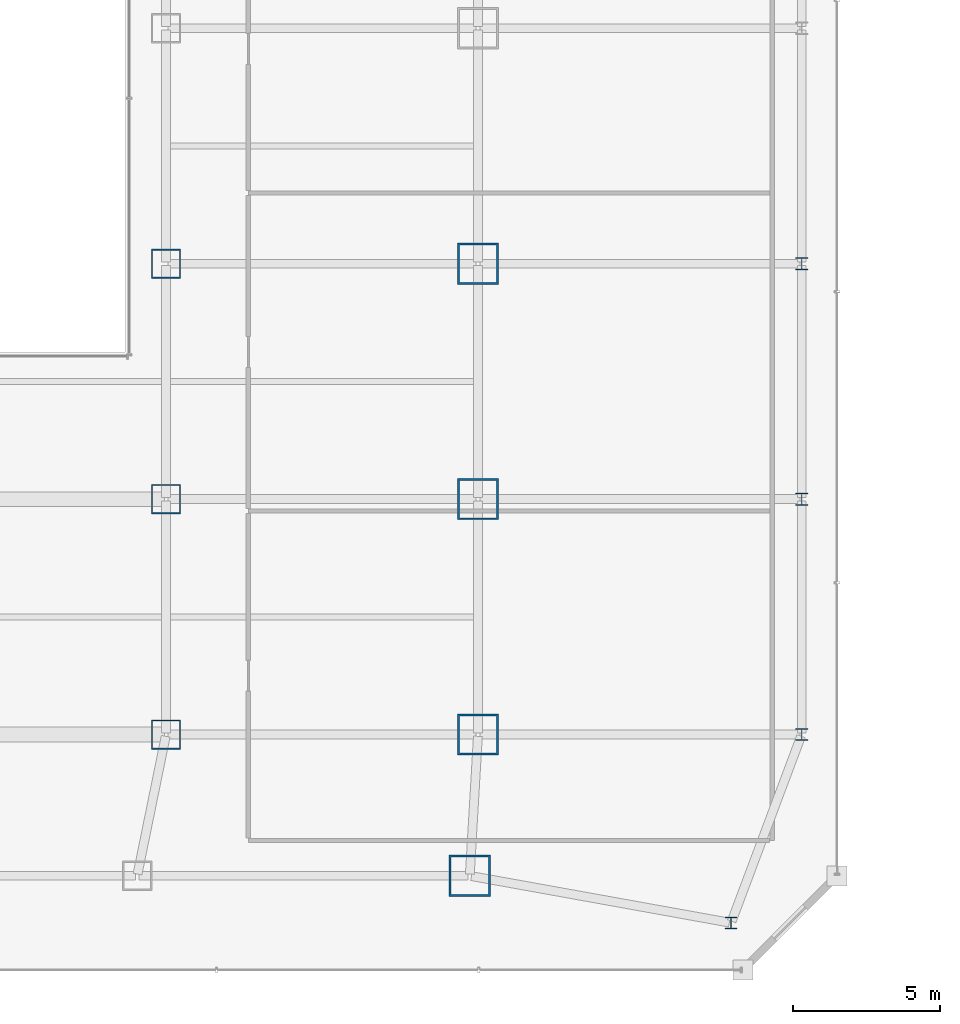
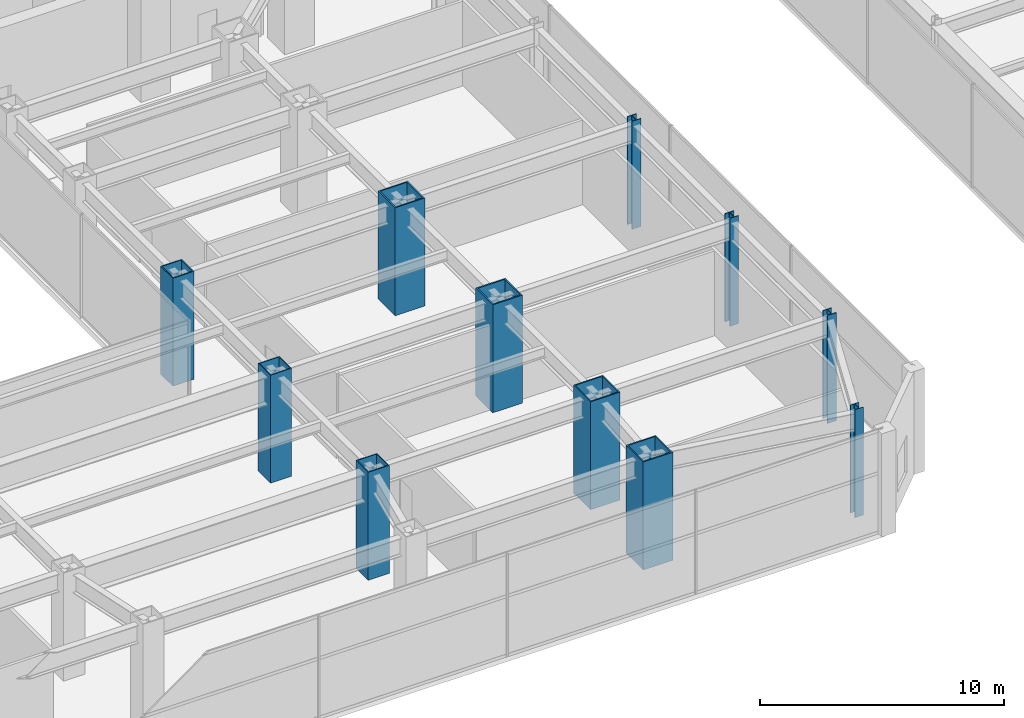
# One storey, part 2 of 53: 11 columns.
"""IFC4 building model written with IfcOpenShell, lengths in metres."""

from ifc_helpers import new_model, si_unit, direction, frame, origin, origin_2d, place, context, subcontext, project, spatial, hollow_rectangle, i_section, extrude, material, material_profile, profile_set, type_object, element, save


model = new_model("IFC4")

# Units and contexts
model_context = context("Model", 3, precision=1e-05, world=origin(), true_north=direction((0.0, 1.0)))
body_context = subcontext(model_context, "Body", "Model", "MODEL_VIEW")
ifc_project = project(units=[si_unit("LENGTHUNIT", "METRE"), si_unit("AREAUNIT", "SQUARE_METRE"), si_unit("VOLUMEUNIT", "CUBIC_METRE"), si_unit("PLANEANGLEUNIT", "RADIAN"), si_unit("MASSUNIT", "GRAM", prefix="KILO")], contexts=[model_context])

# Site, building, storey
site_placement = place(None, origin())
site = spatial("IfcSite", under=ifc_project, at=site_placement, CompositionType="ELEMENT")
building_placement = place(site_placement, origin())
building = spatial("IfcBuilding", under=site, at=building_placement, Name="Saevonmaru Cultural Tower", CompositionType="ELEMENT")
storey_placement = place(building_placement, frame((0.0, 0.0, 22.199951171875)))
storey = spatial("IfcBuildingStorey", under=building, at=storey_placement, Name="L04", CompositionType="ELEMENT", Elevation=22.199951171875)

# Columns
ifc_material_1 = material(Name="Steel SM420", Category="steel")
ifc_material_profile_1 = material_profile(ifc_material_1, hollow_rectangle(XDim=1.0, YDim=1.0, WallThickness=0.044921875, at=origin_2d()), Name="BOX-1000x1000x45")
ifc_profile_set_1 = profile_set([ifc_material_profile_1], Name="Steel SM420")
column_type_1 = type_object("IfcColumnType", Name="COL-BOX-1000", PredefinedType="COLUMN", material=ifc_profile_set_1)
for number, where, z_axis, x_axis, name in (
    (1, (37.199951171875, 8.0, 0.0), (0.0, 0.0, 1.0), (1.0, 0.0, 0.0), "L04 Column PC-E2-B"),
    (2, (37.199951171875, 16.0, 0.0), (0.0, 0.0, 1.0), (1.0, 0.0, 0.0), "L04 Column PC-E2-C"),
    (3, (37.199951171875, 24.0, 0.0), (0.0, 0.0, 1.0), (1.0, 0.0, 0.0), "L04 Column PC-E2-D"),
):
    element("IfcColumn", number, at=place(storey_placement, frame(where, z_axis=z_axis, x_axis=x_axis)), inside=storey, type_object=column_type_1, Name=name, PredefinedType="COLUMN", context=body_context, shape_type="SweptSolid", body=[
        extrude(hollow_rectangle(XDim=1.0, YDim=1.0, WallThickness=0.044921875, at=origin_2d()), origin(), (0.0, 0.0, 1.0), 5.400146484375),
    ])
ifc_material_2 = material(Name="Steel HSA600 (600 MPa)", Category="steel")
ifc_material_profile_2 = material_profile(ifc_material_2, hollow_rectangle(XDim=1.39990234375, YDim=1.39990234375, WallThickness=0.06494140625, at=origin_2d()), Name="BOX-1400x1400x65")
ifc_profile_set_2 = profile_set([ifc_material_profile_2], Name="Steel HSA600 (600 MPa)")
column_type_2 = type_object("IfcColumnType", Name="COL-BOX-1400", PredefinedType="COLUMN", material=ifc_profile_set_2)
for number, where, z_axis, x_axis, name in (
    (4, (47.52001953125, 3.199951171875, 0.0), (0.0, 0.0, 1.0), (1.0, 0.0, 0.0), "L04 Column PC-E1-A"),
    (5, (47.800048828125, 8.0, 0.0), (0.0, 0.0, 1.0), (1.0, 0.0, 0.0), "L04 Column PC-E1-B"),
    (6, (47.800048828125, 16.0, 0.0), (0.0, 0.0, 1.0), (1.0, 0.0, 0.0), "L04 Column PC-E1-C"),
    (7, (47.800048828125, 24.0, 0.0), (0.0, 0.0, 1.0), (1.0, 0.0, 0.0), "L04 Column PC-E1-D"),
):
    element("IfcColumn", number, at=place(storey_placement, frame(where, z_axis=z_axis, x_axis=x_axis)), inside=storey, type_object=column_type_2, Name=name, PredefinedType="COLUMN", context=body_context, shape_type="SweptSolid", body=[
        extrude(hollow_rectangle(XDim=1.39990234375, YDim=1.39990234375, WallThickness=0.06494140625, at=origin_2d()), origin(), (0.0, 0.0, 1.0), 5.400146484375),
    ])
ifc_material_3 = material(Name="Steel SM355", Category="steel")
ifc_material_profile_3 = material_profile(ifc_material_3, i_section(OverallWidth=0.39990234375, OverallDepth=0.39990234375, WebThickness=0.012939453125, FlangeThickness=0.02099609375, FilletRadius=0.02197265625, at=origin_2d()), Name="H-400x400x13x21")
ifc_profile_set_3 = profile_set([ifc_material_profile_3], Name="Steel SM355")
column_type_3 = type_object("IfcColumnType", Name="COL-H-400", PredefinedType="COLUMN", material=ifc_profile_set_3)
column_placement = place(storey_placement, frame((56.39990234375, 1.60009765625, 0.0), z_axis=(0.0, 0.0, 1.0), x_axis=(1.0, 0.0, 0.0)))
element("IfcColumn", 8, at=column_placement, inside=storey, type_object=column_type_3, Name="L04 Column PC-PS-SE", PredefinedType="COLUMN", context=body_context, shape_type="SweptSolid", body=[
    extrude(i_section(OverallWidth=0.39990234375, OverallDepth=0.39990234375, WebThickness=0.012939453125, FlangeThickness=0.02099609375, FilletRadius=0.02197265625, at=origin_2d()), origin(), (0.0, 0.0, 1.0), 5.400146484375),
])
ifc_material_profile_4 = material_profile(ifc_material_1, i_section(OverallWidth=0.419921875, OverallDepth=0.419921875, WebThickness=0.02001953125, FlangeThickness=0.034912109375, FilletRadius=0.02197265625, at=origin_2d()), Name="H-428x407x20x35")
ifc_profile_set_4 = profile_set([ifc_material_profile_4], Name="Steel SM420")
column_type_4 = type_object("IfcColumnType", Name="COL-H-428", PredefinedType="COLUMN", material=ifc_profile_set_4)
for number, where, z_axis, x_axis, name in (
    (9, (58.800048828125, 8.0, 0.0), (0.0, 0.0, 1.0), (1.0, 0.0, 0.0), "L04 Column PC-PE-B"),
    (10, (58.800048828125, 16.0, 0.0), (0.0, 0.0, 1.0), (1.0, 0.0, 0.0), "L04 Column PC-PE-C"),
    (11, (58.800048828125, 24.0, 0.0), (0.0, 0.0, 1.0), (1.0, 0.0, 0.0), "L04 Column PC-PE-D"),
):
    element("IfcColumn", number, at=place(storey_placement, frame(where, z_axis=z_axis, x_axis=x_axis)), inside=storey, type_object=column_type_4, Name=name, PredefinedType="COLUMN", context=body_context, shape_type="SweptSolid", body=[
        extrude(i_section(OverallWidth=0.419921875, OverallDepth=0.419921875, WebThickness=0.02001953125, FlangeThickness=0.034912109375, FilletRadius=0.02197265625, at=origin_2d()), origin(), (0.0, 0.0, 1.0), 5.400146484375),
    ])

save(model, "model.ifc")
